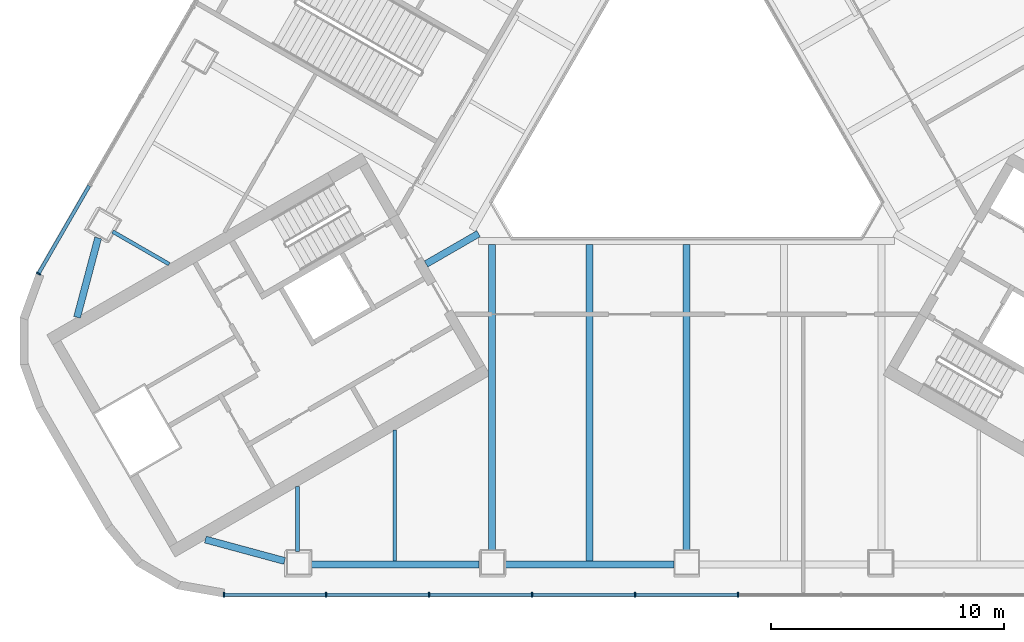
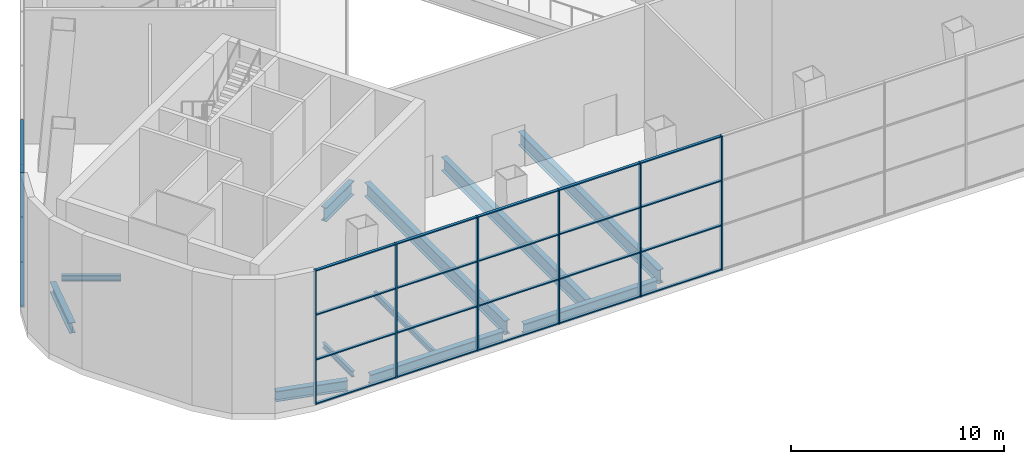
# One storey, part 2 of 16: 31 members, 11 beams, 2 elements without a shape of their own.
"""IFC4 building model written with IfcOpenShell, lengths in metres."""

from ifc_helpers import new_model, si_unit, direction, frame, origin, origin_2d, place, context, subcontext, project, spatial, rectangle, i_section, extrude, material, layer, layer_set, material_profile, profile_set, type_object, element, aggregate, save


model = new_model("IFC4")

# Units and contexts
model_context = context("Model", 3, precision=1e-05, world=origin(), true_north=direction((0.0, 1.0)))
body_context = subcontext(model_context, "Body", "Model", "MODEL_VIEW")
ifc_project = project(units=[si_unit("LENGTHUNIT", "METRE"), si_unit("AREAUNIT", "SQUARE_METRE"), si_unit("VOLUMEUNIT", "CUBIC_METRE"), si_unit("PLANEANGLEUNIT", "RADIAN"), si_unit("MASSUNIT", "GRAM", prefix="KILO")], contexts=[model_context])

# Site, building, storey
site_placement = place(None, origin())
site = spatial("IfcSite", under=ifc_project, at=site_placement, CompositionType="ELEMENT")
building_placement = place(site_placement, origin())
building = spatial("IfcBuilding", under=site, at=building_placement, Name="Apuvela Tower Hotel", CompositionType="ELEMENT")
storey_placement = place(building_placement, frame((0.0, 0.0, 15.5)))
storey = spatial("IfcBuildingStorey", under=building, at=storey_placement, Name="L02", CompositionType="ELEMENT", Elevation=15.5)

# Curtain wall, members
ifc_material_1 = material(Name="Aluminium 6063-T6, dark bronze anodised", Category="aluminium")
ifc_layer = layer(ifc_material_1, 0.199951171875)
ifc_layer_set = layer_set([ifc_layer], Name="ENV-CW-P")
curtain_wall_type = type_object("IfcCurtainWallType", Name="ENV-CW-P", PredefinedType="NOTDEFINED", material=ifc_layer_set)
curtain_wall_1_placement = place(storey_placement, origin())
curtain_wall_1 = element("IfcCurtainWall", 1, at=curtain_wall_1_placement, inside=storey, type_object=curtain_wall_type, Name="Curtain wall CW-P S L02", PredefinedType="NOTDEFINED")
ifc_material_profile_1 = material_profile(ifc_material_1, rectangle(XDim=0.199951171875, YDim=0.06494140625, at=origin_2d()), Name="AL 65x200")
ifc_profile_set_1 = profile_set([ifc_material_profile_1], Name="Aluminium 6063-T6, dark bronze anodised")
member_type_1 = type_object("IfcMemberType", Name="ENV-MULLION-65x200", PredefinedType="MULLION", material=ifc_profile_set_1)
member_1_placement = place(storey_placement, frame((-19.839111328125, -20.63134765625, 0.0), z_axis=(0.0, 0.0, 1.0), x_axis=(0.0, 1.0, 0.0)))
member_1 = element("IfcMember", 2, at=member_1_placement, type_object=member_type_1, Name="CW-P mullion 1", PredefinedType="MULLION", context=body_context, shape_type="SweptSolid", body=[
    extrude(rectangle(XDim=0.199951171875, YDim=0.06494140625, at=origin_2d()), origin(), (0.0, 0.0, 1.0), 7.699951171875),
])
member_2_placement = place(storey_placement, frame((-15.45556640625, -20.63134765625, 0.0), z_axis=(0.0, 0.0, 1.0), x_axis=(0.0, 1.0, 0.0)))
member_2 = element("IfcMember", 3, at=member_2_placement, type_object=member_type_1, Name="CW-P mullion 2", PredefinedType="MULLION", context=body_context, shape_type="SweptSolid", body=[
    extrude(rectangle(XDim=0.199951171875, YDim=0.06494140625, at=origin_2d()), origin(), (0.0, 0.0, 1.0), 7.699951171875),
])
member_3_placement = place(storey_placement, frame((-11.039794921875, -20.63134765625, 0.0), z_axis=(0.0, 0.0, 1.0), x_axis=(0.0, 1.0, 0.0)))
member_3 = element("IfcMember", 4, at=member_3_placement, type_object=member_type_1, Name="CW-P mullion 3", PredefinedType="MULLION", context=body_context, shape_type="SweptSolid", body=[
    extrude(rectangle(XDim=0.199951171875, YDim=0.06494140625, at=origin_2d()), origin(), (0.0, 0.0, 1.0), 7.699951171875),
])
member_4_placement = place(storey_placement, frame((-6.623779296875, -20.63134765625, 0.0), z_axis=(0.0, 0.0, 1.0), x_axis=(0.0, 1.0, 0.0)))
member_4 = element("IfcMember", 5, at=member_4_placement, type_object=member_type_1, Name="CW-P mullion 4", PredefinedType="MULLION", context=body_context, shape_type="SweptSolid", body=[
    extrude(rectangle(XDim=0.199951171875, YDim=0.06494140625, at=origin_2d()), origin(), (0.0, 0.0, 1.0), 7.699951171875),
])
member_5_placement = place(storey_placement, frame((-2.2080078125, -20.63134765625, 0.0), z_axis=(0.0, 0.0, 1.0), x_axis=(0.0, 1.0, 0.0)))
member_5 = element("IfcMember", 6, at=member_5_placement, type_object=member_type_1, Name="CW-P mullion 5", PredefinedType="MULLION", context=body_context, shape_type="SweptSolid", body=[
    extrude(rectangle(XDim=0.199951171875, YDim=0.06494140625, at=origin_2d()), origin(), (0.0, 0.0, 1.0), 7.699951171875),
])
member_6_placement = place(storey_placement, frame((2.2080078125, -20.63134765625, 0.0), z_axis=(0.0, 0.0, 1.0), x_axis=(0.0, 1.0, 0.0)))
member_6 = element("IfcMember", 7, at=member_6_placement, type_object=member_type_1, Name="CW-P mullion 6", PredefinedType="MULLION", context=body_context, shape_type="SweptSolid", body=[
    extrude(rectangle(XDim=0.199951171875, YDim=0.06494140625, at=origin_2d()), origin(), (0.0, 0.0, 1.0), 7.699951171875),
])

# Curtain wall, member
curtain_wall_2_placement = place(storey_placement, origin())
curtain_wall_2 = element("IfcCurtainWall", 8, at=curtain_wall_2_placement, inside=storey, type_object=curtain_wall_type, Name="Curtain wall CW-P NW L02", PredefinedType="NOTDEFINED")
member_7_placement = place(storey_placement, frame((-27.786865234375, -6.865478515625, 0.0), z_axis=(0.0, 0.0, 1.0), x_axis=(0.866024643727, -0.500001316455, 0.0)))
member_7 = element("IfcMember", 9, at=member_7_placement, type_object=member_type_1, Name="CW-P mullion 10", PredefinedType="MULLION", context=body_context, shape_type="SweptSolid", body=[
    extrude(rectangle(XDim=0.199951171875, YDim=0.06494140625, at=origin_2d()), origin(), (0.0, 0.0, 1.0), 7.699951171875),
])

# Member
ifc_material_profile_2 = material_profile(ifc_material_1, rectangle(XDim=0.14990234375, YDim=0.06494140625, at=origin_2d()), Name="AL 65x150 transom")
ifc_profile_set_2 = profile_set([ifc_material_profile_2], Name="Aluminium 6063-T6, dark bronze anodised")
member_type_2 = type_object("IfcMemberType", Name="ENV-TRANSOM-65x150", PredefinedType="USERDEFINED", material=ifc_profile_set_2)
member_8_placement = place(storey_placement, frame((-19.806396484375, -20.63134765625, 0.032470703125), z_axis=(1.0, 0.0, 0.0), x_axis=(0.0, 1.0, 0.0)))
member_8 = element("IfcMember", 10, at=member_8_placement, type_object=member_type_2, Name="CW-P transom 1.1", ObjectType="TRANSOM", PredefinedType="USERDEFINED", context=body_context, shape_type="SweptSolid", body=[
    extrude(rectangle(XDim=0.14990234375, YDim=0.06494140625, at=origin_2d()), origin(), (0.0, 0.0, 1.0), 4.318359375),
])

member_9_placement = place(storey_placement, frame((-19.806396484375, -20.63134765625, 2.566650390625), z_axis=(1.0, 0.0, 0.0), x_axis=(0.0, 1.0, 0.0)))
member_9 = element("IfcMember", 11, at=member_9_placement, type_object=member_type_2, Name="CW-P transom 1.2", ObjectType="TRANSOM", PredefinedType="USERDEFINED", context=body_context, shape_type="SweptSolid", body=[
    extrude(rectangle(XDim=0.14990234375, YDim=0.06494140625, at=origin_2d()), origin(), (0.0, 0.0, 1.0), 4.318359375),
])

member_10_placement = place(storey_placement, frame((-19.806396484375, -20.63134765625, 5.13330078125), z_axis=(1.0, 0.0, 0.0), x_axis=(0.0, 1.0, 0.0)))
member_10 = element("IfcMember", 12, at=member_10_placement, type_object=member_type_2, Name="CW-P transom 1.3", ObjectType="TRANSOM", PredefinedType="USERDEFINED", context=body_context, shape_type="SweptSolid", body=[
    extrude(rectangle(XDim=0.14990234375, YDim=0.06494140625, at=origin_2d()), origin(), (0.0, 0.0, 1.0), 4.318359375),
])

member_11_placement = place(storey_placement, frame((-19.806396484375, -20.63134765625, 7.66748046875), z_axis=(1.0, 0.0, 0.0), x_axis=(0.0, 1.0, 0.0)))
member_11 = element("IfcMember", 13, at=member_11_placement, type_object=member_type_2, Name="CW-P transom 1.4", ObjectType="TRANSOM", PredefinedType="USERDEFINED", context=body_context, shape_type="SweptSolid", body=[
    extrude(rectangle(XDim=0.14990234375, YDim=0.06494140625, at=origin_2d()), origin(), (0.0, 0.0, 1.0), 4.318359375),
])

member_12_placement = place(storey_placement, frame((-15.423095703125, -20.63134765625, 0.032470703125), z_axis=(1.0, 0.0, 0.0), x_axis=(0.0, 1.0, 0.0)))
member_12 = element("IfcMember", 14, at=member_12_placement, type_object=member_type_2, Name="CW-P transom 2.1", ObjectType="TRANSOM", PredefinedType="USERDEFINED", context=body_context, shape_type="SweptSolid", body=[
    extrude(rectangle(XDim=0.14990234375, YDim=0.06494140625, at=origin_2d()), origin(), (0.0, 0.0, 1.0), 4.350830078125),
])

member_13_placement = place(storey_placement, frame((-15.423095703125, -20.63134765625, 2.566650390625), z_axis=(1.0, 0.0, 0.0), x_axis=(0.0, 1.0, 0.0)))
member_13 = element("IfcMember", 15, at=member_13_placement, type_object=member_type_2, Name="CW-P transom 2.2", ObjectType="TRANSOM", PredefinedType="USERDEFINED", context=body_context, shape_type="SweptSolid", body=[
    extrude(rectangle(XDim=0.14990234375, YDim=0.06494140625, at=origin_2d()), origin(), (0.0, 0.0, 1.0), 4.350830078125),
])

member_14_placement = place(storey_placement, frame((-15.423095703125, -20.63134765625, 5.13330078125), z_axis=(1.0, 0.0, 0.0), x_axis=(0.0, 1.0, 0.0)))
member_14 = element("IfcMember", 16, at=member_14_placement, type_object=member_type_2, Name="CW-P transom 2.3", ObjectType="TRANSOM", PredefinedType="USERDEFINED", context=body_context, shape_type="SweptSolid", body=[
    extrude(rectangle(XDim=0.14990234375, YDim=0.06494140625, at=origin_2d()), origin(), (0.0, 0.0, 1.0), 4.350830078125),
])

member_15_placement = place(storey_placement, frame((-15.423095703125, -20.63134765625, 7.66748046875), z_axis=(1.0, 0.0, 0.0), x_axis=(0.0, 1.0, 0.0)))
member_15 = element("IfcMember", 17, at=member_15_placement, type_object=member_type_2, Name="CW-P transom 2.4", ObjectType="TRANSOM", PredefinedType="USERDEFINED", context=body_context, shape_type="SweptSolid", body=[
    extrude(rectangle(XDim=0.14990234375, YDim=0.06494140625, at=origin_2d()), origin(), (0.0, 0.0, 1.0), 4.350830078125),
])

member_16_placement = place(storey_placement, frame((-11.00732421875, -20.63134765625, 0.032470703125), z_axis=(1.0, 0.0, 0.0), x_axis=(0.0, 1.0, 0.0)))
member_16 = element("IfcMember", 18, at=member_16_placement, type_object=member_type_2, Name="CW-P transom 3.1", ObjectType="TRANSOM", PredefinedType="USERDEFINED", context=body_context, shape_type="SweptSolid", body=[
    extrude(rectangle(XDim=0.14990234375, YDim=0.06494140625, at=origin_2d()), origin(), (0.0, 0.0, 1.0), 4.35107421875),
])

member_17_placement = place(storey_placement, frame((-11.00732421875, -20.63134765625, 2.566650390625), z_axis=(1.0, 0.0, 0.0), x_axis=(0.0, 1.0, 0.0)))
member_17 = element("IfcMember", 19, at=member_17_placement, type_object=member_type_2, Name="CW-P transom 3.2", ObjectType="TRANSOM", PredefinedType="USERDEFINED", context=body_context, shape_type="SweptSolid", body=[
    extrude(rectangle(XDim=0.14990234375, YDim=0.06494140625, at=origin_2d()), origin(), (0.0, 0.0, 1.0), 4.35107421875),
])

member_18_placement = place(storey_placement, frame((-11.00732421875, -20.63134765625, 5.13330078125), z_axis=(1.0, 0.0, 0.0), x_axis=(0.0, 1.0, 0.0)))
member_18 = element("IfcMember", 20, at=member_18_placement, type_object=member_type_2, Name="CW-P transom 3.3", ObjectType="TRANSOM", PredefinedType="USERDEFINED", context=body_context, shape_type="SweptSolid", body=[
    extrude(rectangle(XDim=0.14990234375, YDim=0.06494140625, at=origin_2d()), origin(), (0.0, 0.0, 1.0), 4.35107421875),
])

member_19_placement = place(storey_placement, frame((-11.00732421875, -20.63134765625, 7.66748046875), z_axis=(1.0, 0.0, 0.0), x_axis=(0.0, 1.0, 0.0)))
member_19 = element("IfcMember", 21, at=member_19_placement, type_object=member_type_2, Name="CW-P transom 3.4", ObjectType="TRANSOM", PredefinedType="USERDEFINED", context=body_context, shape_type="SweptSolid", body=[
    extrude(rectangle(XDim=0.14990234375, YDim=0.06494140625, at=origin_2d()), origin(), (0.0, 0.0, 1.0), 4.35107421875),
])

member_20_placement = place(storey_placement, frame((-6.59130859375, -20.63134765625, 0.032470703125), z_axis=(1.0, 0.0, 0.0), x_axis=(0.0, 1.0, 0.0)))
member_20 = element("IfcMember", 22, at=member_20_placement, type_object=member_type_2, Name="CW-P transom 4.1", ObjectType="TRANSOM", PredefinedType="USERDEFINED", context=body_context, shape_type="SweptSolid", body=[
    extrude(rectangle(XDim=0.14990234375, YDim=0.06494140625, at=origin_2d()), origin(), (0.0, 0.0, 1.0), 4.350830078125),
])

member_21_placement = place(storey_placement, frame((-6.59130859375, -20.63134765625, 2.566650390625), z_axis=(1.0, 0.0, 0.0), x_axis=(0.0, 1.0, 0.0)))
member_21 = element("IfcMember", 23, at=member_21_placement, type_object=member_type_2, Name="CW-P transom 4.2", ObjectType="TRANSOM", PredefinedType="USERDEFINED", context=body_context, shape_type="SweptSolid", body=[
    extrude(rectangle(XDim=0.14990234375, YDim=0.06494140625, at=origin_2d()), origin(), (0.0, 0.0, 1.0), 4.350830078125),
])

member_22_placement = place(storey_placement, frame((-6.59130859375, -20.63134765625, 5.13330078125), z_axis=(1.0, 0.0, 0.0), x_axis=(0.0, 1.0, 0.0)))
member_22 = element("IfcMember", 24, at=member_22_placement, type_object=member_type_2, Name="CW-P transom 4.3", ObjectType="TRANSOM", PredefinedType="USERDEFINED", context=body_context, shape_type="SweptSolid", body=[
    extrude(rectangle(XDim=0.14990234375, YDim=0.06494140625, at=origin_2d()), origin(), (0.0, 0.0, 1.0), 4.350830078125),
])

member_23_placement = place(storey_placement, frame((-6.59130859375, -20.63134765625, 7.66748046875), z_axis=(1.0, 0.0, 0.0), x_axis=(0.0, 1.0, 0.0)))
member_23 = element("IfcMember", 25, at=member_23_placement, type_object=member_type_2, Name="CW-P transom 4.4", ObjectType="TRANSOM", PredefinedType="USERDEFINED", context=body_context, shape_type="SweptSolid", body=[
    extrude(rectangle(XDim=0.14990234375, YDim=0.06494140625, at=origin_2d()), origin(), (0.0, 0.0, 1.0), 4.350830078125),
])

member_24_placement = place(storey_placement, frame((-2.175537109375, -20.63134765625, 0.032470703125), z_axis=(1.0, 0.0, 0.0), x_axis=(0.0, 1.0, 0.0)))
member_24 = element("IfcMember", 26, at=member_24_placement, type_object=member_type_2, Name="CW-P transom 5.1", ObjectType="TRANSOM", PredefinedType="USERDEFINED", context=body_context, shape_type="SweptSolid", body=[
    extrude(rectangle(XDim=0.14990234375, YDim=0.06494140625, at=origin_2d()), origin(), (0.0, 0.0, 1.0), 4.35107421875),
])

member_25_placement = place(storey_placement, frame((-2.175537109375, -20.63134765625, 2.566650390625), z_axis=(1.0, 0.0, 0.0), x_axis=(0.0, 1.0, 0.0)))
member_25 = element("IfcMember", 27, at=member_25_placement, type_object=member_type_2, Name="CW-P transom 5.2", ObjectType="TRANSOM", PredefinedType="USERDEFINED", context=body_context, shape_type="SweptSolid", body=[
    extrude(rectangle(XDim=0.14990234375, YDim=0.06494140625, at=origin_2d()), origin(), (0.0, 0.0, 1.0), 4.35107421875),
])

member_26_placement = place(storey_placement, frame((-2.175537109375, -20.63134765625, 5.13330078125), z_axis=(1.0, 0.0, 0.0), x_axis=(0.0, 1.0, 0.0)))
member_26 = element("IfcMember", 28, at=member_26_placement, type_object=member_type_2, Name="CW-P transom 5.3", ObjectType="TRANSOM", PredefinedType="USERDEFINED", context=body_context, shape_type="SweptSolid", body=[
    extrude(rectangle(XDim=0.14990234375, YDim=0.06494140625, at=origin_2d()), origin(), (0.0, 0.0, 1.0), 4.35107421875),
])

member_27_placement = place(storey_placement, frame((-2.175537109375, -20.63134765625, 7.66748046875), z_axis=(1.0, 0.0, 0.0), x_axis=(0.0, 1.0, 0.0)))
member_27 = element("IfcMember", 29, at=member_27_placement, type_object=member_type_2, Name="CW-P transom 5.4", ObjectType="TRANSOM", PredefinedType="USERDEFINED", context=body_context, shape_type="SweptSolid", body=[
    extrude(rectangle(XDim=0.14990234375, YDim=0.06494140625, at=origin_2d()), origin(), (0.0, 0.0, 1.0), 4.35107421875),
])

aggregate(curtain_wall_1, [member_1, member_2, member_3, member_4, member_5, member_6, member_8, member_9, member_10, member_11, member_12, member_13, member_14, member_15, member_16, member_17, member_18, member_19, member_20, member_21, member_22, member_23, member_24, member_25, member_26, member_27])

member_28_placement = place(storey_placement, frame((-25.611328125, -3.097412109375, 0.032470703125), z_axis=(-0.499981819847, -0.866035899846, 0.0), x_axis=(0.866035899846, -0.499981819847, 0.0)))
member_28 = element("IfcMember", 30, at=member_28_placement, type_object=member_type_2, Name="CW-P transom 9.1", ObjectType="TRANSOM", PredefinedType="USERDEFINED", context=body_context, shape_type="SweptSolid", body=[
    extrude(rectangle(XDim=0.14990234375, YDim=0.06494140625, at=origin_2d()), origin(), (0.0, 0.0, 1.0), 4.318603515625),
])

member_29_placement = place(storey_placement, frame((-25.611328125, -3.097412109375, 2.566650390625), z_axis=(-0.499981819847, -0.866035899846, 0.0), x_axis=(0.866035899846, -0.499981819847, 0.0)))
member_29 = element("IfcMember", 31, at=member_29_placement, type_object=member_type_2, Name="CW-P transom 9.2", ObjectType="TRANSOM", PredefinedType="USERDEFINED", context=body_context, shape_type="SweptSolid", body=[
    extrude(rectangle(XDim=0.14990234375, YDim=0.06494140625, at=origin_2d()), origin(), (0.0, 0.0, 1.0), 4.318603515625),
])

member_30_placement = place(storey_placement, frame((-25.611328125, -3.097412109375, 5.13330078125), z_axis=(-0.499981819847, -0.866035899846, 0.0), x_axis=(0.866035899846, -0.499981819847, 0.0)))
member_30 = element("IfcMember", 32, at=member_30_placement, type_object=member_type_2, Name="CW-P transom 9.3", ObjectType="TRANSOM", PredefinedType="USERDEFINED", context=body_context, shape_type="SweptSolid", body=[
    extrude(rectangle(XDim=0.14990234375, YDim=0.06494140625, at=origin_2d()), origin(), (0.0, 0.0, 1.0), 4.318603515625),
])

member_31_placement = place(storey_placement, frame((-25.611328125, -3.097412109375, 7.66748046875), z_axis=(-0.499981819847, -0.866035899846, 0.0), x_axis=(0.866035899846, -0.499981819847, 0.0)))
member_31 = element("IfcMember", 33, at=member_31_placement, type_object=member_type_2, Name="CW-P transom 9.4", ObjectType="TRANSOM", PredefinedType="USERDEFINED", context=body_context, shape_type="SweptSolid", body=[
    extrude(rectangle(XDim=0.14990234375, YDim=0.06494140625, at=origin_2d()), origin(), (0.0, 0.0, 1.0), 4.318603515625),
])

aggregate(curtain_wall_2, [member_7, member_28, member_29, member_30, member_31])

# Beams
ifc_material_2 = material(Name="Steel S355", Category="steel")
ifc_material_profile_3 = material_profile(ifc_material_2, i_section(OverallWidth=0.300048828125, OverallDepth=0.7900390625, WebThickness=0.014892578125, FlangeThickness=0.028076171875, at=origin_2d()), Name="HE 800 A")
ifc_profile_set_3 = profile_set([ifc_material_profile_3], Name="Steel S355")
beam_type_1 = type_object("IfcBeamType", Name="STR-B floor beam HE 800 A", PredefinedType="BEAM", material=ifc_profile_set_3)
beam_1_placement = place(storey_placement, frame((-8.34326171875, -18.781494140625, -0.7451171875), z_axis=(0.0, 1.0, 0.0), x_axis=(-1.0, 0.0, 0.0)))
element("IfcBeam", 34, at=beam_1_placement, inside=storey, type_object=beam_type_1, Name="Floor beam B5 S3", PredefinedType="BEAM", context=body_context, shape_type="SweptSolid", body=[
    extrude(i_section(OverallWidth=0.300048828125, OverallDepth=0.7900390625, WebThickness=0.014892578125, FlangeThickness=0.028076171875, at=origin_2d()), origin(), (0.0, 0.0, 1.0), 13.159423828125),
])
beam_2_placement = place(storey_placement, frame((-4.171630859375, -19.181396484375, -0.7451171875), z_axis=(0.0, 1.0, 0.0), x_axis=(-1.0, 0.0, 0.0)))
element("IfcBeam", 35, at=beam_2_placement, inside=storey, type_object=beam_type_1, Name="Floor beam B5 S4", PredefinedType="BEAM", context=body_context, shape_type="SweptSolid", body=[
    extrude(i_section(OverallWidth=0.300048828125, OverallDepth=0.7900390625, WebThickness=0.014892578125, FlangeThickness=0.028076171875, at=origin_2d()), origin(), (0.0, 0.0, 1.0), 13.559326171875),
])
beam_3_placement = place(storey_placement, frame((0.0, -18.781494140625, -0.7451171875), z_axis=(0.0, 1.0, 0.0), x_axis=(-1.0, 0.0, 0.0)))
element("IfcBeam", 36, at=beam_3_placement, inside=storey, type_object=beam_type_1, Name="Floor beam B5 S5", PredefinedType="BEAM", context=body_context, shape_type="SweptSolid", body=[
    extrude(i_section(OverallWidth=0.300048828125, OverallDepth=0.7900390625, WebThickness=0.014892578125, FlangeThickness=0.028076171875, at=origin_2d()), origin(), (0.0, 0.0, 1.0), 13.159423828125),
])
ifc_material_profile_4 = material_profile(ifc_material_2, i_section(OverallWidth=0.159912109375, OverallDepth=0.330078125, WebThickness=0.007568359375, FlangeThickness=0.011474609375, at=origin_2d()), Name="IPE 330")
ifc_profile_set_4 = profile_set([ifc_material_profile_4], Name="Steel S355")
beam_type_2 = type_object("IfcBeamType", Name="STR-B floor beam IPE 330", PredefinedType="BEAM", material=ifc_profile_set_4)
beam_4_placement = place(storey_placement, frame((-24.6083984375, -5.060302734375, -0.514892578125), z_axis=(0.866037299004, -0.49997939631, 0.0), x_axis=(0.49997939631, 0.866037299004, 0.0)))
element("IfcBeam", 37, at=beam_4_placement, inside=storey, type_object=beam_type_2, Name="Floor beam B1 NW9", PredefinedType="BEAM", context=body_context, shape_type="SweptSolid", body=[
    extrude(i_section(OverallWidth=0.159912109375, OverallDepth=0.330078125, WebThickness=0.007568359375, FlangeThickness=0.011474609375, at=origin_2d()), origin(), (0.0, 0.0, 1.0), 2.79638671875),
])
beam_5_placement = place(storey_placement, frame((-16.6865234375, -18.781494140625, -0.514892578125), z_axis=(0.0, 1.0, 0.0), x_axis=(-1.0, 0.0, 0.0)))
element("IfcBeam", 38, at=beam_5_placement, inside=storey, type_object=beam_type_2, Name="Floor beam B1 S1", PredefinedType="BEAM", context=body_context, shape_type="SweptSolid", body=[
    extrude(i_section(OverallWidth=0.159912109375, OverallDepth=0.330078125, WebThickness=0.007568359375, FlangeThickness=0.011474609375, at=origin_2d()), origin(), (0.0, 0.0, 1.0), 2.796630859375),
])
beam_6_placement = place(storey_placement, frame((-12.514892578125, -19.181396484375, -0.514892578125), z_axis=(0.0, 1.0, 0.0), x_axis=(-1.0, 0.0, 0.0)))
element("IfcBeam", 39, at=beam_6_placement, inside=storey, type_object=beam_type_2, Name="Floor beam B1 S2", PredefinedType="BEAM", context=body_context, shape_type="SweptSolid", body=[
    extrude(i_section(OverallWidth=0.159912109375, OverallDepth=0.330078125, WebThickness=0.007568359375, FlangeThickness=0.011474609375, at=origin_2d()), origin(), (0.0, 0.0, 1.0), 5.60498046875),
])
ifc_material_profile_5 = material_profile(ifc_material_2, i_section(OverallWidth=0.300048828125, OverallDepth=0.800048828125, WebThickness=0.017578125, FlangeThickness=0.032958984375, at=origin_2d()), Name="HE 800 B")
ifc_profile_set_5 = profile_set([ifc_material_profile_5], Name="Steel S355")
beam_type_3 = type_object("IfcBeamType", Name="STR-GT core tie beam HE 800 B", PredefinedType="BEAM", material=ifc_profile_set_5)
beam_7_placement = place(storey_placement, frame((-11.171630859375, -6.449951171875, -0.75), z_axis=(0.865997922154, 0.500047596559, 0.0), x_axis=(-0.500047596559, 0.865997922154, 0.0)))
element("IfcBeam", 40, at=beam_7_placement, inside=storey, type_object=beam_type_3, Name="Core tie beam GT1 SW", PredefinedType="BEAM", context=body_context, shape_type="SweptSolid", body=[
    extrude(i_section(OverallWidth=0.300048828125, OverallDepth=0.800048828125, WebThickness=0.017578125, FlangeThickness=0.032958984375, at=origin_2d()), origin(), (0.0, 0.0, 1.0), 2.599853515625),
])
ifc_material_profile_6 = material_profile(ifc_material_2, i_section(OverallWidth=0.300048828125, OverallDepth=0.60009765625, WebThickness=0.015380859375, FlangeThickness=0.030029296875, at=origin_2d()), Name="HE 600 B")
ifc_profile_set_6 = profile_set([ifc_material_profile_6], Name="Steel S355")
beam_type_4 = type_object("IfcBeamType", Name="STR-SB spandrel beam HE 600 B", PredefinedType="SPANDREL", material=ifc_profile_set_6)
for number, where, z_axis, x_axis, name in (
    (41, (-16.136474609375, -19.331298828125, -0.64990234375), (1.0, 0.0, 0.0), (0.0, 1.0, 0.0), "Spandrel beam SB1 S1"),
    (42, (-7.793212890625, -19.331298828125, -0.64990234375), (1.0, 0.0, 0.0), (0.0, 1.0, 0.0), "Spandrel beam SB1 S2"),
):
    element("IfcBeam", number, at=place(storey_placement, frame(where, z_axis=z_axis, x_axis=x_axis)), inside=storey, type_object=beam_type_4, Name=name, PredefinedType="SPANDREL", context=body_context, shape_type="SweptSolid", body=[
        extrude(i_section(OverallWidth=0.300048828125, OverallDepth=0.60009765625, WebThickness=0.015380859375, FlangeThickness=0.030029296875, at=origin_2d()), origin(), (0.0, 0.0, 1.0), 7.2431640625),
    ])
for number, where, z_axis, x_axis, name in (
    (43, (-17.236572265625, -19.1826171875, -0.64990234375), (-0.96525372333, 0.26131446496, 0.0), (-0.26131446496, -0.96525372333, 0.0), "Spandrel beam SB1 S1-SW"),
    (44, (-25.230712890625, -5.3359375, -0.64990234375), (-0.256388395113, -0.966573841386, 0.0), (0.966573841386, -0.256388395113, 0.0), "Spandrel beam SB1 NW5-SW"),
):
    element("IfcBeam", number, at=place(storey_placement, frame(where, z_axis=z_axis, x_axis=x_axis)), inside=storey, type_object=beam_type_4, Name=name, PredefinedType="SPANDREL", context=body_context, shape_type="SweptSolid", body=[
        extrude(i_section(OverallWidth=0.300048828125, OverallDepth=0.60009765625, WebThickness=0.015380859375, FlangeThickness=0.030029296875, at=origin_2d()), origin(), (0.0, 0.0, 1.0), 3.5185546875),
    ])

save(model, "model.ifc")
